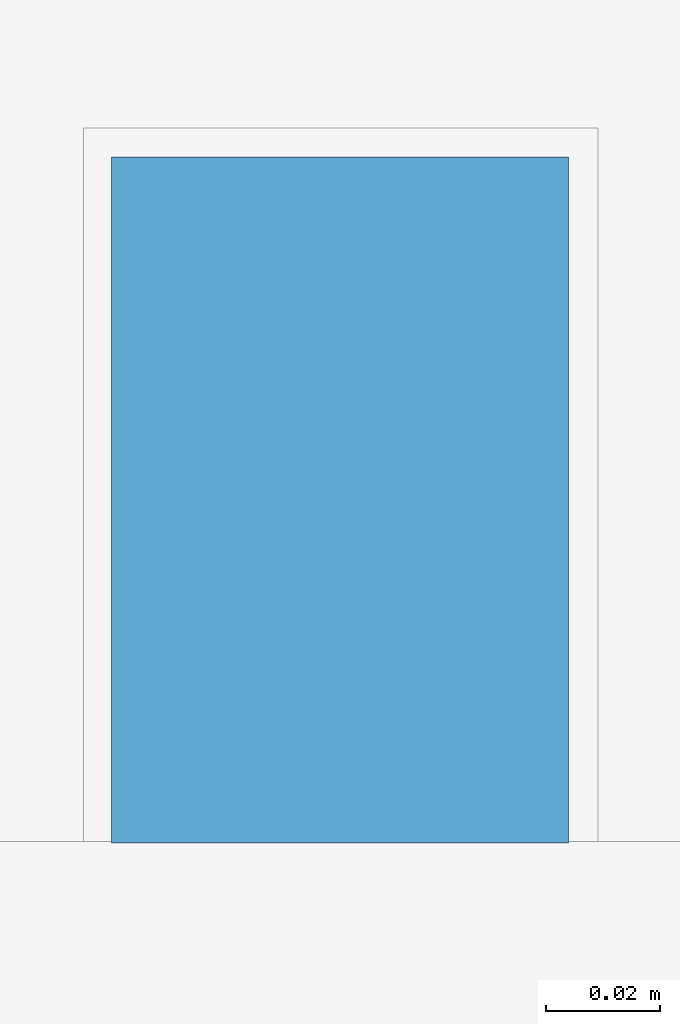
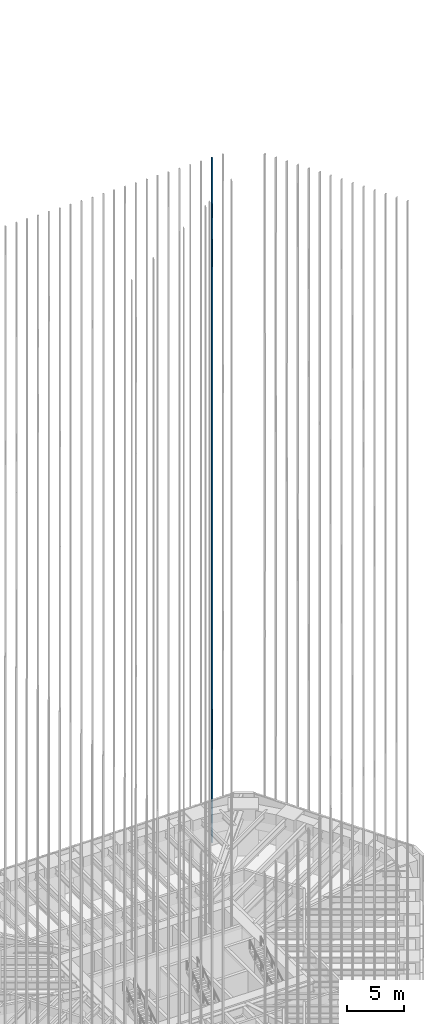
# One storey, part 215 of 228: 1 member, 1 element without a shape of its own.
"""IFC4 building model written with IfcOpenShell, lengths in metres."""

from ifc_helpers import new_model, si_unit, direction, frame, origin, origin_2d, place, context, subcontext, project, spatial, rectangle, extrude, material, material_profile, profile_set, type_object, element, aggregate, save


model = new_model("IFC4")

# Units and contexts
model_context = context("Model", 3, precision=1e-05, world=origin(), true_north=direction((0.0, 1.0)))
body_context = subcontext(model_context, "Body", "Model", "MODEL_VIEW")
ifc_project = project(units=[si_unit("LENGTHUNIT", "METRE"), si_unit("AREAUNIT", "SQUARE_METRE"), si_unit("VOLUMEUNIT", "CUBIC_METRE"), si_unit("PLANEANGLEUNIT", "RADIAN"), si_unit("MASSUNIT", "GRAM", prefix="KILO")], contexts=[model_context])

# Site, building, storey
site_placement = place(None, origin())
site = spatial("IfcSite", under=ifc_project, at=site_placement, CompositionType="ELEMENT")
building_placement = place(site_placement, origin())
building = spatial("IfcBuilding", under=site, at=building_placement, Name="Sandreach Pilgrim Tower", CompositionType="ELEMENT")
storey_placement = place(building_placement, frame((0.0, 0.0, 178.199951171875)))
storey = spatial("IfcBuildingStorey", under=building, at=storey_placement, Name="L44", CompositionType="ELEMENT", Elevation=178.199951171875)

# Curtain wall, member
ifc_material_1 = material(Name="Aluminium framed curtain wall", Category="aluminium")
curtain_wall_type = type_object("IfcCurtainWallType", Name="Upper hotel tower curtain wall", PredefinedType="NOTDEFINED", material=ifc_material_1)
curtain_wall_placement = place(storey_placement, origin())
curtain_wall = element("IfcCurtainWall", 1, at=curtain_wall_placement, inside=storey, type_object=curtain_wall_type, Name="CW-3 L44 N", PredefinedType="NOTDEFINED")
ifc_material_2 = material(Name="Extruded terracotta on aluminium core", Category="masonry")
ifc_material_profile = material_profile(ifc_material_2, rectangle(XDim=0.080078125, YDim=0.1201171875, at=origin_2d()), Name="TBN 80X120")
ifc_profile_set = profile_set([ifc_material_profile], Name="Extruded terracotta on aluminium core")
member_type = type_object("IfcMemberType", Name="Terracotta baguette north", PredefinedType="USERDEFINED", material=ifc_profile_set)
member_placement = place(storey_placement, frame((15.39794921875, 21.52001953125, 0.0), z_axis=(0.0, 0.0, 1.0), x_axis=(1.0, 0.0, 0.0)))
member = element("IfcMember", 2, at=member_placement, type_object=member_type, Name="Baguette Z3 N30", ObjectType="BAGUETTE", PredefinedType="USERDEFINED", context=body_context, shape_type="SweptSolid", body=[
    extrude(rectangle(XDim=0.080078125, YDim=0.1201171875, at=origin_2d()), origin(), (0.0, 0.0, 1.0), 73.239990234375),
])
aggregate(curtain_wall, [member])

save(model, "model.ifc")
